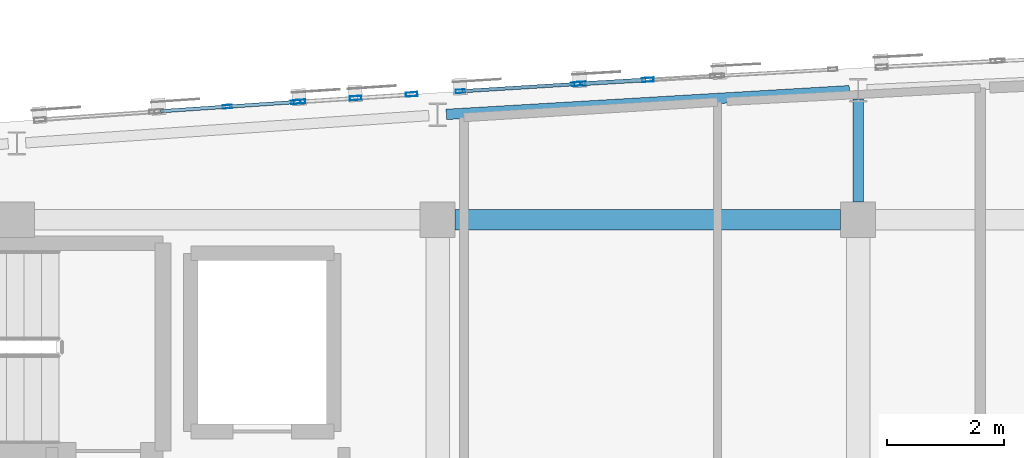
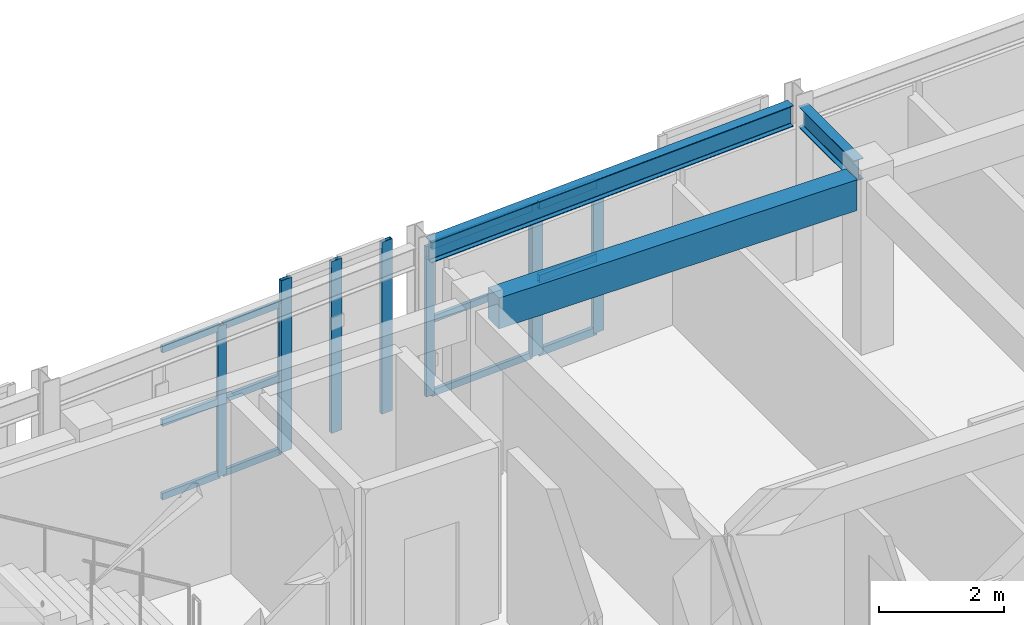
# One storey, part 13 of 50: 21 members, 3 beams, 4 elements without a shape of their own.
"""IFC4 building model written with IfcOpenShell, lengths in metres."""

from ifc_helpers import new_model, si_unit, direction, frame, origin, origin_2d, place, context, subcontext, project, spatial, rectangle, hollow_rectangle, i_section, extrude, material, layer, layer_set, material_profile, profile_set, type_object, element, aggregate, save


model = new_model("IFC4")

# Units and contexts
model_context = context("Model", 3, precision=1e-05, world=origin(), true_north=direction((0.0, 1.0)))
body_context = subcontext(model_context, "Body", "Model", "MODEL_VIEW")
ifc_project = project(units=[si_unit("LENGTHUNIT", "METRE"), si_unit("AREAUNIT", "SQUARE_METRE"), si_unit("VOLUMEUNIT", "CUBIC_METRE"), si_unit("PLANEANGLEUNIT", "RADIAN"), si_unit("MASSUNIT", "GRAM", prefix="KILO")], contexts=[model_context])

# Site, building, storey
site_placement = place(None, origin())
site = spatial("IfcSite", under=ifc_project, at=site_placement, CompositionType="ELEMENT")
building_placement = place(site_placement, origin())
building = spatial("IfcBuilding", under=site, at=building_placement, Name="Carrowvane Square Congress Hotel", CompositionType="ELEMENT")
storey_placement = place(building_placement, frame((0.0, 0.0, 22.800048828125)))
storey = spatial("IfcBuildingStorey", under=building, at=storey_placement, Name="L05", CompositionType="ELEMENT", Elevation=22.800048828125)

# Beams
ifc_material_1 = material(Name="Concrete C35/45", Category="concrete")
ifc_material_profile_1 = material_profile(ifc_material_1, rectangle(XDim=0.35009765625, YDim=0.60009765625, at=origin_2d()), Name="RC 350x600")
ifc_profile_set_1 = profile_set([ifc_material_profile_1], Name="Concrete C35/45")
beam_type_1 = type_object("IfcBeamType", Name="BM-RC-350x600", PredefinedType="BEAM", material=ifc_profile_set_1)
beam_1_placement = place(storey_placement, frame((69.5, 113.39990234375, 3.050048828125), z_axis=(1.0, 0.0, 0.0), x_axis=(0.0, 1.0, 0.0)))
element("IfcBeam", 1, at=beam_1_placement, inside=storey, type_object=beam_type_1, Name="L06 girder R/9-10", PredefinedType="BEAM", context=body_context, shape_type="SweptSolid", body=[
    extrude(rectangle(XDim=0.35009765625, YDim=0.60009765625, at=origin_2d()), origin(), (0.0, 0.0, 1.0), 6.60009765625),
])
ifc_material_2 = material(Name="Steel S355", Category="steel")
ifc_material_profile_2 = material_profile(ifc_material_2, i_section(OverallWidth=0.1787109375, OverallDepth=0.409423828125, WebThickness=0.0087890625, FlangeThickness=0.014404296875, FilletRadius=0.01025390625, at=origin_2d()), Name="UKB 406x178x67")
ifc_profile_set_2 = profile_set([ifc_material_profile_2], Name="Steel S355")
beam_type_2 = type_object("IfcBeamType", Name="BM-ST-UKB406", PredefinedType="BEAM", material=ifc_profile_set_2)
beam_2_placement = place(storey_placement, frame((69.349853515625, 115.203125, 3.145263671875), z_axis=(0.99827559088, 0.058701317296, 0.0), x_axis=(-0.058701317296, 0.99827559088, 0.0)))
element("IfcBeam", 2, at=beam_2_placement, inside=storey, type_object=beam_type_2, Name="L06 curved north spandrel", PredefinedType="BEAM", context=body_context, shape_type="SweptSolid", body=[
    extrude(i_section(OverallWidth=0.1787109375, OverallDepth=0.409423828125, WebThickness=0.0087890625, FlangeThickness=0.014404296875, FilletRadius=0.01025390625, at=origin_2d()), origin(), (0.0, 0.0, 1.0), 6.912353515625),
])
beam_3_placement = place(storey_placement, frame((76.39990234375, 113.699951171875, 3.145263671875), z_axis=(0.0, 1.0, 0.0), x_axis=(-1.0, 0.0, 0.0)))
element("IfcBeam", 3, at=beam_3_placement, inside=storey, type_object=beam_type_2, Name="L06 radial north beam 10", PredefinedType="BEAM", context=body_context, shape_type="SweptSolid", body=[
    extrude(i_section(OverallWidth=0.1787109375, OverallDepth=0.409423828125, WebThickness=0.0087890625, FlangeThickness=0.014404296875, FilletRadius=0.01025390625, at=origin_2d()), origin(), (0.0, 0.0, 1.0), 1.767578125),
])

# Curtain wall, members
ifc_material_3 = material(Name="Anodised aluminium", Category="aluminium")
ifc_layer_1 = layer(ifc_material_3, 0.23388671875)
ifc_layer_set_1 = layer_set([ifc_layer_1], Name="Anodised aluminium")
curtain_wall_type_1 = type_object("IfcCurtainWallType", Name="CW-SYS-7", PredefinedType="NOTDEFINED", material=ifc_layer_set_1)
curtain_wall_1_placement = place(storey_placement, origin())
curtain_wall_1 = element("IfcCurtainWall", 4, at=curtain_wall_1_placement, inside=storey, type_object=curtain_wall_type_1, Name="L05 unitised curtain wall 318", PredefinedType="NOTDEFINED")
ifc_material_4 = material(Name="Anodised aluminium", Category="aluminium")
ifc_material_profile_3 = material_profile(ifc_material_4, hollow_rectangle(XDim=0.06005859375, YDim=0.159912109375, WallThickness=0.00390625, at=origin_2d()), Name="CW-ML 60x160x4")
ifc_profile_set_3 = profile_set([ifc_material_profile_3], Name="Anodised aluminium")
member_type_1 = type_object("IfcMemberType", Name="CW-MUL-1", PredefinedType="MULLION", material=ifc_profile_set_3)
member_1_placement = place(storey_placement, frame((65.599853515625, 115.33544921875, 0.0), z_axis=(0.0, 0.0, 1.0), x_axis=(-0.067865424104, 0.997694484404, 0.0)))
member_1 = element("IfcMember", 5, at=member_1_placement, type_object=member_type_1, Name="CW-7 mullion 2", PredefinedType="MULLION", context=body_context, shape_type="SweptSolid", body=[
    extrude(hollow_rectangle(XDim=0.06005859375, YDim=0.159912109375, WallThickness=0.00390625, at=origin_2d()), origin(), (0.0, 0.0, 1.0), 2.925537109375),
])
member_2_placement = place(storey_placement, frame((66.77001953125, 115.4150390625, 0.0), z_axis=(0.0, 0.0, 1.0), x_axis=(-0.067865424104, 0.997694484404, 0.0)))
member_2 = element("IfcMember", 6, at=member_2_placement, type_object=member_type_1, Name="CW-7 mullion 3", PredefinedType="MULLION", context=body_context, shape_type="SweptSolid", body=[
    extrude(hollow_rectangle(XDim=0.06005859375, YDim=0.159912109375, WallThickness=0.00390625, at=origin_2d()), origin(), (0.0, 0.0, 1.0), 2.925537109375),
])

ifc_material_5 = material(Name="Anodised aluminium", Category="aluminium")
ifc_layer_2 = layer(ifc_material_5, 0.162109375)
ifc_layer_set_2 = layer_set([ifc_layer_2], Name="Anodised aluminium")
curtain_wall_type_2 = type_object("IfcCurtainWallType", Name="CW-SYS-1", PredefinedType="NOTDEFINED", material=ifc_layer_set_2)
curtain_wall_2_placement = place(storey_placement, origin())
curtain_wall_2 = element("IfcCurtainWall", 7, at=curtain_wall_2_placement, inside=storey, type_object=curtain_wall_type_2, Name="L05 unitised curtain wall 320", PredefinedType="NOTDEFINED")
member_3_placement = place(storey_placement, frame((69.58984375, 115.5986328125, 0.0), z_axis=(0.0, 0.0, 1.0), x_axis=(-0.062397474952, 0.998051378998, 0.0)))
member_3 = element("IfcMember", 8, at=member_3_placement, type_object=member_type_1, Name="CW-1 mullion 1", PredefinedType="MULLION", context=body_context, shape_type="SweptSolid", body=[
    extrude(hollow_rectangle(XDim=0.06005859375, YDim=0.159912109375, WallThickness=0.00390625, at=origin_2d()), origin(), (0.0, 0.0, 1.0), 2.925537109375),
])
member_4_placement = place(storey_placement, frame((71.570068359375, 115.722412109375, 0.0), z_axis=(0.0, 0.0, 1.0), x_axis=(-0.062397474952, 0.998051378998, 0.0)))
member_4 = element("IfcMember", 9, at=member_4_placement, type_object=member_type_1, Name="CW-1 mullion 2", PredefinedType="MULLION", context=body_context, shape_type="SweptSolid", body=[
    extrude(hollow_rectangle(XDim=0.06005859375, YDim=0.159912109375, WallThickness=0.00390625, at=origin_2d()), origin(), (0.0, 0.0, 1.0), 2.925537109375),
])

ifc_material_6 = material(Name="Anodised aluminium", Category="aluminium")
ifc_layer_3 = layer(ifc_material_6, 0.24609375)
ifc_layer_set_3 = layer_set([ifc_layer_3], Name="Anodised aluminium")
curtain_wall_type_3 = type_object("IfcCurtainWallType", Name="CW-SYS-8", PredefinedType="NOTDEFINED", material=ifc_layer_set_3)
curtain_wall_3_placement = place(storey_placement, origin())
curtain_wall_3 = element("IfcCurtainWall", 10, at=curtain_wall_3_placement, inside=storey, type_object=curtain_wall_type_3, Name="L05 unitised curtain wall 319", PredefinedType="NOTDEFINED")
ifc_material_7 = material(Name="Anodised aluminium", Category="aluminium")
ifc_material_profile_4 = material_profile(ifc_material_7, hollow_rectangle(XDim=0.070068359375, YDim=0.199951171875, WallThickness=0.0048828125, at=origin_2d()), Name="CW-ML 70x200x5")
ifc_profile_set_4 = profile_set([ifc_material_profile_4], Name="Anodised aluminium")
member_type_2 = type_object("IfcMemberType", Name="CW-MUL-2", PredefinedType="MULLION", material=ifc_profile_set_4)
member_5_placement = place(storey_placement, frame((66.8349609375, 115.419189453125, 0.0), z_axis=(0.0, 0.0, 1.0), x_axis=(-0.065412223074, 0.997858327155, 0.0)))
member_5 = element("IfcMember", 11, at=member_5_placement, type_object=member_type_2, Name="CW-8 mullion 1", PredefinedType="MULLION", context=body_context, shape_type="SweptSolid", body=[
    extrude(hollow_rectangle(XDim=0.070068359375, YDim=0.199951171875, WallThickness=0.0048828125, at=origin_2d()), origin(), (0.0, 0.0, 1.0), 3.349853515625),
])
member_6_placement = place(storey_placement, frame((67.795654296875, 115.482177734375, 0.0), z_axis=(0.0, 0.0, 1.0), x_axis=(-0.065412223074, 0.997858327155, 0.0)))
member_6 = element("IfcMember", 12, at=member_6_placement, type_object=member_type_2, Name="CW-8 mullion 2", PredefinedType="MULLION", context=body_context, shape_type="SweptSolid", body=[
    extrude(hollow_rectangle(XDim=0.070068359375, YDim=0.199951171875, WallThickness=0.0048828125, at=origin_2d()), origin(), (0.0, 0.0, 1.0), 3.349853515625),
])
member_7_placement = place(storey_placement, frame((68.756591796875, 115.545166015625, 0.0), z_axis=(0.0, 0.0, 1.0), x_axis=(-0.065412223074, 0.997858327155, 0.0)))
member_7 = element("IfcMember", 13, at=member_7_placement, type_object=member_type_2, Name="CW-8 mullion 3", PredefinedType="MULLION", context=body_context, shape_type="SweptSolid", body=[
    extrude(hollow_rectangle(XDim=0.070068359375, YDim=0.199951171875, WallThickness=0.0048828125, at=origin_2d()), origin(), (0.0, 0.0, 1.0), 3.349853515625),
])
aggregate(curtain_wall_3, [member_5, member_6, member_7])

ifc_material_8 = material(Name="Anodised aluminium", Category="aluminium")
ifc_layer_4 = layer(ifc_material_8, 0.174072265625)
ifc_layer_set_4 = layer_set([ifc_layer_4], Name="Anodised aluminium")
curtain_wall_type_4 = type_object("IfcCurtainWallType", Name="CW-SYS-2", PredefinedType="NOTDEFINED", material=ifc_layer_set_4)
curtain_wall_4_placement = place(storey_placement, origin())
curtain_wall_4 = element("IfcCurtainWall", 14, at=curtain_wall_4_placement, inside=storey, type_object=curtain_wall_type_4, Name="L05 unitised curtain wall 321", PredefinedType="NOTDEFINED")
member_8_placement = place(storey_placement, frame((71.635009765625, 115.726318359375, 0.0), z_axis=(0.0, 0.0, 1.0), x_axis=(-0.058851249486, 0.998266763162, 0.0)))
member_8 = element("IfcMember", 15, at=member_8_placement, type_object=member_type_2, Name="CW-2 mullion 1", PredefinedType="MULLION", context=body_context, shape_type="SweptSolid", body=[
    extrude(hollow_rectangle(XDim=0.070068359375, YDim=0.199951171875, WallThickness=0.0048828125, at=origin_2d()), origin(), (0.0, 0.0, 1.0), 2.925537109375),
])
member_9_placement = place(storey_placement, frame((72.800048828125, 115.795166015625, 0.0), z_axis=(0.0, 0.0, 1.0), x_axis=(-0.058851249486, 0.998266763162, 0.0)))
member_9 = element("IfcMember", 16, at=member_9_placement, type_object=member_type_2, Name="CW-2 mullion 2", PredefinedType="MULLION", context=body_context, shape_type="SweptSolid", body=[
    extrude(hollow_rectangle(XDim=0.070068359375, YDim=0.199951171875, WallThickness=0.0048828125, at=origin_2d()), origin(), (0.0, 0.0, 1.0), 2.925537109375),
])

# Member
ifc_material_9 = material(Name="Anodised aluminium", Category="aluminium")
ifc_material_profile_5 = material_profile(ifc_material_9, hollow_rectangle(XDim=0.06005859375, YDim=0.1298828125, WallThickness=0.00390625, at=origin_2d()), Name="CW-TR 60x130x4")
ifc_profile_set_5 = profile_set([ifc_material_profile_5], Name="Anodised aluminium")
member_type_3 = type_object("IfcMemberType", Name="CW-TRN-1", PredefinedType="USERDEFINED", material=ifc_profile_set_5)
member_10_placement = place(storey_placement, frame((64.4599609375, 115.2578125, 0.030029296875), z_axis=(0.997698897284, 0.067800518861, 0.0), x_axis=(-0.067800518861, 0.997698897284, 0.0)))
member_10 = element("IfcMember", 17, at=member_10_placement, type_object=member_type_3, Name="CW-7 transom 1.1", ObjectType="TRANSOM", PredefinedType="USERDEFINED", context=body_context, shape_type="SweptSolid", body=[
    extrude(hollow_rectangle(XDim=0.06005859375, YDim=0.1298828125, WallThickness=0.00390625, at=origin_2d()), origin(), (0.0, 0.0, 1.0), 1.112548828125),
])

member_11_placement = place(storey_placement, frame((64.4599609375, 115.2578125, 1.462646484375), z_axis=(0.997698897284, 0.067800518861, 0.0), x_axis=(-0.067800518861, 0.997698897284, 0.0)))
member_11 = element("IfcMember", 18, at=member_11_placement, type_object=member_type_3, Name="CW-7 transom 1.2", ObjectType="TRANSOM", PredefinedType="USERDEFINED", context=body_context, shape_type="SweptSolid", body=[
    extrude(hollow_rectangle(XDim=0.06005859375, YDim=0.1298828125, WallThickness=0.00390625, at=origin_2d()), origin(), (0.0, 0.0, 1.0), 1.112548828125),
])

member_12_placement = place(storey_placement, frame((64.4599609375, 115.2578125, 2.8955078125), z_axis=(0.997698897284, 0.067800518861, 0.0), x_axis=(-0.067800518861, 0.997698897284, 0.0)))
member_12 = element("IfcMember", 19, at=member_12_placement, type_object=member_type_3, Name="CW-7 transom 1.3", ObjectType="TRANSOM", PredefinedType="USERDEFINED", context=body_context, shape_type="SweptSolid", body=[
    extrude(hollow_rectangle(XDim=0.06005859375, YDim=0.1298828125, WallThickness=0.00390625, at=origin_2d()), origin(), (0.0, 0.0, 1.0), 1.112548828125),
])

member_13_placement = place(storey_placement, frame((65.6298828125, 115.33740234375, 0.030029296875), z_axis=(0.997698897284, 0.067800518861, 0.0), x_axis=(-0.067800518861, 0.997698897284, 0.0)))
member_13 = element("IfcMember", 20, at=member_13_placement, type_object=member_type_3, Name="CW-7 transom 2.1", ObjectType="TRANSOM", PredefinedType="USERDEFINED", context=body_context, shape_type="SweptSolid", body=[
    extrude(hollow_rectangle(XDim=0.06005859375, YDim=0.1298828125, WallThickness=0.00390625, at=origin_2d()), origin(), (0.0, 0.0, 1.0), 1.112548828125),
])

member_14_placement = place(storey_placement, frame((65.6298828125, 115.33740234375, 1.462646484375), z_axis=(0.997698897284, 0.067800518861, 0.0), x_axis=(-0.067800518861, 0.997698897284, 0.0)))
member_14 = element("IfcMember", 21, at=member_14_placement, type_object=member_type_3, Name="CW-7 transom 2.2", ObjectType="TRANSOM", PredefinedType="USERDEFINED", context=body_context, shape_type="SweptSolid", body=[
    extrude(hollow_rectangle(XDim=0.06005859375, YDim=0.1298828125, WallThickness=0.00390625, at=origin_2d()), origin(), (0.0, 0.0, 1.0), 1.112548828125),
])

member_15_placement = place(storey_placement, frame((65.6298828125, 115.33740234375, 2.8955078125), z_axis=(0.997698897284, 0.067800518861, 0.0), x_axis=(-0.067800518861, 0.997698897284, 0.0)))
member_15 = element("IfcMember", 22, at=member_15_placement, type_object=member_type_3, Name="CW-7 transom 2.3", ObjectType="TRANSOM", PredefinedType="USERDEFINED", context=body_context, shape_type="SweptSolid", body=[
    extrude(hollow_rectangle(XDim=0.06005859375, YDim=0.1298828125, WallThickness=0.00390625, at=origin_2d()), origin(), (0.0, 0.0, 1.0), 1.112548828125),
])

aggregate(curtain_wall_1, [member_1, member_2, member_10, member_11, member_12, member_13, member_14, member_15])

member_16_placement = place(storey_placement, frame((69.619873046875, 115.6005859375, 0.030029296875), z_axis=(0.998049120598, 0.062433587709, 0.0), x_axis=(-0.062433587709, 0.998049120598, 0.0)))
member_16 = element("IfcMember", 23, at=member_16_placement, type_object=member_type_3, Name="CW-1 transom 1.1", ObjectType="TRANSOM", PredefinedType="USERDEFINED", context=body_context, shape_type="SweptSolid", body=[
    extrude(hollow_rectangle(XDim=0.06005859375, YDim=0.1298828125, WallThickness=0.00390625, at=origin_2d()), origin(), (0.0, 0.0, 1.0), 1.923828125),
])

member_17_placement = place(storey_placement, frame((69.619873046875, 115.6005859375, 1.462646484375), z_axis=(0.998049120598, 0.062433587709, 0.0), x_axis=(-0.062433587709, 0.998049120598, 0.0)))
member_17 = element("IfcMember", 24, at=member_17_placement, type_object=member_type_3, Name="CW-1 transom 1.2", ObjectType="TRANSOM", PredefinedType="USERDEFINED", context=body_context, shape_type="SweptSolid", body=[
    extrude(hollow_rectangle(XDim=0.06005859375, YDim=0.1298828125, WallThickness=0.00390625, at=origin_2d()), origin(), (0.0, 0.0, 1.0), 1.923828125),
])

member_18_placement = place(storey_placement, frame((69.619873046875, 115.6005859375, 2.8955078125), z_axis=(0.998049120598, 0.062433587709, 0.0), x_axis=(-0.062433587709, 0.998049120598, 0.0)))
member_18 = element("IfcMember", 25, at=member_18_placement, type_object=member_type_3, Name="CW-1 transom 1.3", ObjectType="TRANSOM", PredefinedType="USERDEFINED", context=body_context, shape_type="SweptSolid", body=[
    extrude(hollow_rectangle(XDim=0.06005859375, YDim=0.1298828125, WallThickness=0.00390625, at=origin_2d()), origin(), (0.0, 0.0, 1.0), 1.923828125),
])

aggregate(curtain_wall_2, [member_3, member_4, member_16, member_17, member_18])

ifc_material_10 = material(Name="Anodised aluminium", Category="aluminium")
ifc_material_profile_6 = material_profile(ifc_material_10, hollow_rectangle(XDim=0.070068359375, YDim=0.14990234375, WallThickness=0.0048828125, at=origin_2d()), Name="CW-TR 70x150x5")
ifc_profile_set_6 = profile_set([ifc_material_profile_6], Name="Anodised aluminium")
member_type_4 = type_object("IfcMemberType", Name="CW-TRN-2", PredefinedType="USERDEFINED", material=ifc_profile_set_6)
member_19_placement = place(storey_placement, frame((71.669921875, 115.728515625, 0.034912109375), z_axis=(0.998272838139, 0.058748111741, 0.0), x_axis=(-0.058748111741, 0.998272838139, 0.0)))
member_19 = element("IfcMember", 26, at=member_19_placement, type_object=member_type_4, Name="CW-2 transom 1.1", ObjectType="TRANSOM", PredefinedType="USERDEFINED", context=body_context, shape_type="SweptSolid", body=[
    extrude(hollow_rectangle(XDim=0.070068359375, YDim=0.14990234375, WallThickness=0.0048828125, at=origin_2d()), origin(), (0.0, 0.0, 1.0), 1.09716796875),
])

member_20_placement = place(storey_placement, frame((71.669921875, 115.728515625, 1.462646484375), z_axis=(0.998272838139, 0.058748111741, 0.0), x_axis=(-0.058748111741, 0.998272838139, 0.0)))
member_20 = element("IfcMember", 27, at=member_20_placement, type_object=member_type_4, Name="CW-2 transom 1.2", ObjectType="TRANSOM", PredefinedType="USERDEFINED", context=body_context, shape_type="SweptSolid", body=[
    extrude(hollow_rectangle(XDim=0.070068359375, YDim=0.14990234375, WallThickness=0.0048828125, at=origin_2d()), origin(), (0.0, 0.0, 1.0), 1.09716796875),
])

member_21_placement = place(storey_placement, frame((71.669921875, 115.728515625, 2.890625), z_axis=(0.998272838139, 0.058748111741, 0.0), x_axis=(-0.058748111741, 0.998272838139, 0.0)))
member_21 = element("IfcMember", 28, at=member_21_placement, type_object=member_type_4, Name="CW-2 transom 1.3", ObjectType="TRANSOM", PredefinedType="USERDEFINED", context=body_context, shape_type="SweptSolid", body=[
    extrude(hollow_rectangle(XDim=0.070068359375, YDim=0.14990234375, WallThickness=0.0048828125, at=origin_2d()), origin(), (0.0, 0.0, 1.0), 1.09716796875),
])

aggregate(curtain_wall_4, [member_8, member_9, member_19, member_20, member_21])

save(model, "model.ifc")
